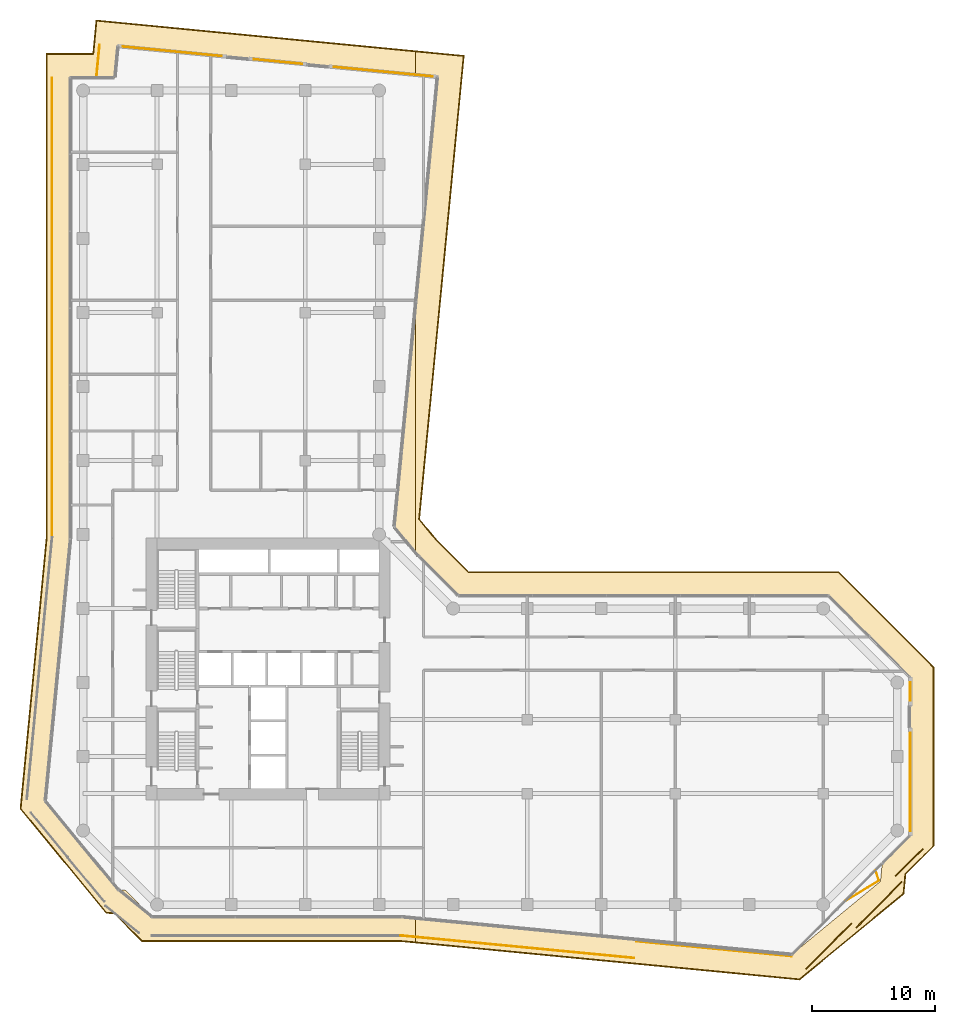
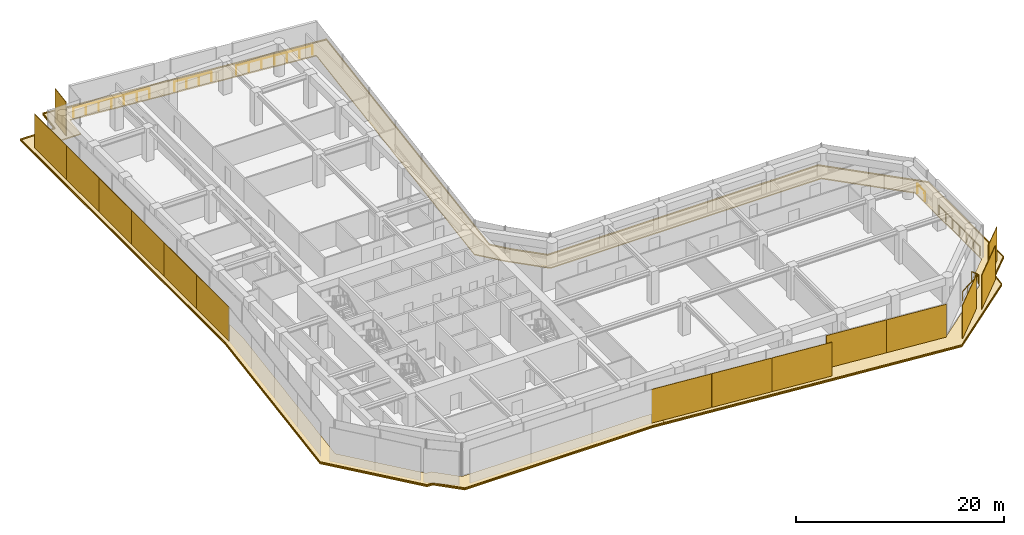
# One storey, part 31 of 31: 20 coverings, 6 railings.
"""IFC4 building model written with IfcOpenShell, lengths in metres."""

from ifc_helpers import new_model, si_unit, direction, frame, origin, origin_2d, place, context, subcontext, project, spatial, polyline, rectangle, circle, outline, extrude, material, layer, layer_set, type_object, element, save


model = new_model("IFC4")

# Units and contexts
model_context = context("Model", 3, precision=1e-05, world=origin(), true_north=direction((0.0, 1.0)))
body_context = subcontext(model_context, "Body", "Model", "MODEL_VIEW")
ifc_project = project(units=[si_unit("LENGTHUNIT", "METRE"), si_unit("AREAUNIT", "SQUARE_METRE"), si_unit("VOLUMEUNIT", "CUBIC_METRE"), si_unit("PLANEANGLEUNIT", "RADIAN"), si_unit("MASSUNIT", "GRAM", prefix="KILO")], contexts=[model_context])

# Site, building, storey
site_placement = place(None, origin())
site = spatial("IfcSite", under=ifc_project, at=site_placement, CompositionType="ELEMENT")
building_placement = place(site_placement, origin())
building = spatial("IfcBuilding", under=site, at=building_placement, Name="Welwitschia Terrace Campus", CompositionType="ELEMENT")
storey_placement = place(building_placement, frame((0.0, 0.0, 29.0)))
storey = spatial("IfcBuildingStorey", under=building, at=storey_placement, Name="L06", CompositionType="ELEMENT", Elevation=29.0)

# Coverings
ifc_material_1 = material(Name="Bronze mesh aluminium screen", Category="aluminium")
ifc_layer_1 = layer(ifc_material_1, 0.06005859375)
ifc_layer_set_1 = layer_set([ifc_layer_1], Name="Bronze mesh aluminium screen")
covering_type_1 = type_object("IfcCoveringType", Name="Bronze screen 60", PredefinedType="USERDEFINED", material=ifc_layer_set_1)
for number, where, z_axis, x_axis, name in (
    (1, (28.880615234375, -6.813720703125, 0.0), (0.0, 0.0, 1.0), (0.995396198367, -0.09584575252, 0.0), "Screen L06.4.0"),
    (2, (35.20361328125, -7.422607421875, 0.0), (0.0, 0.0, 1.0), (0.995396198367, -0.09584575252, 0.0), "Screen L06.4.1"),
    (3, (41.5263671875, -8.03125, 0.0), (0.0, 0.0, 1.0), (0.995396198367, -0.09584575252, 0.0), "Screen L06.4.2"),
):
    element("IfcCovering", number, at=place(storey_placement, frame(where, z_axis=z_axis, x_axis=x_axis)), inside=storey, type_object=covering_type_1, Name=name, ObjectType="SCREEN", PredefinedType="USERDEFINED", context=body_context, shape_type="SweptSolid", body=[
        extrude(rectangle(XDim=6.33203125, YDim=0.06005859375, at=origin_2d()), origin(), (0.0, 0.0, 1.0), 3.949951171875),
    ])
for number, where, z_axis, x_axis, name in (
    (4, (47.980224609375, -7.2783203125, 0.0), (0.0, 0.0, 1.0), (0.995396198367, -0.09584575252, 0.0), "Screen L06.4.3"),
    (5, (54.302978515625, -7.88720703125, 0.0), (0.0, 0.0, 1.0), (0.995396198367, -0.09584575252, 0.0), "Screen L06.4.4"),
):
    element("IfcCovering", number, at=place(storey_placement, frame(where, z_axis=z_axis, x_axis=x_axis)), inside=storey, type_object=covering_type_1, Name=name, ObjectType="SCREEN", PredefinedType="USERDEFINED", context=body_context, shape_type="SweptSolid", body=[
        extrude(rectangle(XDim=6.33203125, YDim=0.06005859375, at=origin_2d()), origin(), (0.0, 0.0, 1.0), 3.85009765625),
    ])
for number, where, z_axis, x_axis, name in (
    (6, (60.457275390625, -7.37060546875, 0.0), (0.0, 0.0, 1.0), (0.703327283427, 0.710866184586, 0.0), "Screen L06.5.0"),
    (7, (64.517578125, -4.02001953125, 0.0), (0.0, 0.0, 1.0), (0.703327283427, 0.710866184586, 0.0), "Screen L06.5.1"),
):
    element("IfcCovering", number, at=place(storey_placement, frame(where, z_axis=z_axis, x_axis=x_axis)), inside=storey, type_object=covering_type_1, Name=name, ObjectType="SCREEN", PredefinedType="USERDEFINED", context=body_context, shape_type="SweptSolid", body=[
        extrude(rectangle(XDim=5.217529296875, YDim=0.06005859375, at=origin_2d()), origin(), (0.0, 0.0, 1.0), 3.949951171875),
    ])
covering_1_placement = place(storey_placement, frame((66.980224609375, -0.577880859375, 0.0), z_axis=(0.0, 0.0, 1.0), x_axis=(0.707106781187, 0.707106781187, 0.0)))
element("IfcCovering", 8, at=covering_1_placement, inside=storey, type_object=covering_type_1, Name="Screen L06.6.0", ObjectType="SCREEN", PredefinedType="USERDEFINED", context=body_context, shape_type="SweptSolid", body=[
    extrude(rectangle(XDim=3.115966796875, YDim=0.06005859375, at=origin_2d()), origin(), (0.0, 0.0, 1.0), 3.949951171875),
])
covering_2_placement = place(storey_placement, frame((1.215087890625, 64.466064453125, 0.0), z_axis=(0.0, 0.0, 1.0), x_axis=(-0.09584575252, -0.995396198367, 0.0)))
element("IfcCovering", 9, at=covering_2_placement, inside=storey, type_object=covering_type_1, Name="Screen L06.14.0", ObjectType="SCREEN", PredefinedType="USERDEFINED", context=body_context, shape_type="SweptSolid", body=[
    extrude(rectangle(XDim=2.5283203125, YDim=0.06005859375, at=origin_2d()), origin(), (0.0, 0.0, 1.0), 3.949951171875),
])
for number, where, z_axis, x_axis, name in (
    (10, (-2.51611328125, 59.940185546875, 0.0), (0.0, 0.0, 1.0), (0.0, -1.0, 0.0), "Screen L06.16.0"),
    (11, (-2.51611328125, 53.704833984375, 0.0), (0.0, 0.0, 1.0), (0.0, -1.0, 0.0), "Screen L06.16.1"),
    (12, (-2.51611328125, 47.469482421875, 0.0), (0.0, 0.0, 1.0), (0.0, -1.0, 0.0), "Screen L06.16.2"),
    (13, (-2.51611328125, 41.234130859375, 0.0), (0.0, 0.0, 1.0), (0.0, -1.0, 0.0), "Screen L06.16.3"),
    (14, (-2.51611328125, 34.998779296875, 0.0), (0.0, 0.0, 1.0), (0.0, -1.0, 0.0), "Screen L06.16.4"),
    (15, (-2.51611328125, 28.763427734375, 0.0), (0.0, 0.0, 1.0), (0.0, -1.0, 0.0), "Screen L06.16.5"),
):
    element("IfcCovering", number, at=place(storey_placement, frame(where, z_axis=z_axis, x_axis=x_axis)), inside=storey, type_object=covering_type_1, Name=name, ObjectType="SCREEN", PredefinedType="USERDEFINED", context=body_context, shape_type="SweptSolid", body=[
        extrude(rectangle(XDim=6.21533203125, YDim=0.06005859375, at=origin_2d()), origin(), (0.0, 0.0, 1.0), 3.949951171875),
    ])

# Railings
ifc_material_2 = material(Name="Stainless steel grade 316", Category="steel")
railing_type = type_object("IfcRailingType", Name="Guard 1100", PredefinedType="GUARDRAIL", material=ifc_material_2)
railing_1_placement = place(storey_placement, frame((3.236572265625, 65.55126953125, 0.0)))
element("IfcRailing", 16, at=railing_1_placement, inside=storey, type_object=railing_type, Name="Guard floor edge L06.0", PredefinedType="GUARDRAIL", context=body_context, shape_type="SweptSolid", body=[
    extrude(circle(Radius=0.02392578125, at=origin_2d()), frame((0.0, 0.0, 1.076171875), z_axis=(0.995395037304, -0.09585780986, 0.0), x_axis=(0.09585780986, 0.995395037304, 0.0)), (0.0, 0.0, 1.0), 8.0302734375),
    extrude(circle(Radius=0.02099609375, at=origin_2d()), origin(), (0.0, 0.0, 1.0), 1.052001953125),
    extrude(circle(Radius=0.02099609375, at=origin_2d()), frame((1.332275390625, -0.12841796875, 0.0)), (0.0, 0.0, 1.0), 1.052001953125),
    extrude(circle(Radius=0.02099609375, at=origin_2d()), frame((2.66455078125, -0.256591796875, 0.0)), (0.0, 0.0, 1.0), 1.052001953125),
    extrude(circle(Radius=0.02099609375, at=origin_2d()), frame((3.99658203125, -0.384765625, 0.0)), (0.0, 0.0, 1.0), 1.052001953125),
    extrude(circle(Radius=0.02099609375, at=origin_2d()), frame((5.328857421875, -0.51318359375, 0.0)), (0.0, 0.0, 1.0), 1.052001953125),
    extrude(circle(Radius=0.02099609375, at=origin_2d()), frame((6.6611328125, -0.6416015625, 0.0)), (0.0, 0.0, 1.0), 1.052001953125),
    extrude(circle(Radius=0.02099609375, at=origin_2d()), frame((7.993408203125, -0.769775390625, 0.0)), (0.0, 0.0, 1.0), 1.052001953125),
])
railing_2_placement = place(storey_placement, frame((13.843994140625, 64.530029296875, 0.0)))
element("IfcRailing", 17, at=railing_2_placement, inside=storey, type_object=railing_type, Name="Guard floor edge L06.1", PredefinedType="GUARDRAIL", context=body_context, shape_type="SweptSolid", body=[
    extrude(circle(Radius=0.02392578125, at=origin_2d()), frame((0.0, 0.0, 1.076171875), z_axis=(0.995397676016, -0.095830405307, 0.0), x_axis=(0.095830405307, 0.995397676016, 0.0)), (0.0, 0.0, 1.0), 3.903076171875),
    extrude(circle(Radius=0.02099609375, at=origin_2d()), origin(), (0.0, 0.0, 1.0), 1.052001953125),
    extrude(circle(Radius=0.02099609375, at=origin_2d()), frame((1.294921875, -0.124755859375, 0.0)), (0.0, 0.0, 1.0), 1.052001953125),
    extrude(circle(Radius=0.02099609375, at=origin_2d()), frame((2.590087890625, -0.249267578125, 0.0)), (0.0, 0.0, 1.0), 1.052001953125),
    extrude(circle(Radius=0.02099609375, at=origin_2d()), frame((3.885009765625, -0.3740234375, 0.0)), (0.0, 0.0, 1.0), 1.052001953125),
])
railing_3_placement = place(storey_placement, frame((20.343017578125, 63.904296875, 0.0)))
element("IfcRailing", 18, at=railing_3_placement, inside=storey, type_object=railing_type, Name="Guard floor edge L06.2", PredefinedType="GUARDRAIL", context=body_context, shape_type="SweptSolid", body=[
    extrude(circle(Radius=0.02392578125, at=origin_2d()), frame((0.0, 0.0, 1.076171875), z_axis=(0.995395037304, -0.09585780986, 0.0), x_axis=(0.09585780986, 0.995395037304, 0.0)), (0.0, 0.0, 1.0), 8.0302734375),
    extrude(circle(Radius=0.02099609375, at=origin_2d()), origin(), (0.0, 0.0, 1.0), 1.052001953125),
    extrude(circle(Radius=0.02099609375, at=origin_2d()), frame((1.332275390625, -0.12841796875, 0.0)), (0.0, 0.0, 1.0), 1.052001953125),
    extrude(circle(Radius=0.02099609375, at=origin_2d()), frame((2.66455078125, -0.256591796875, 0.0)), (0.0, 0.0, 1.0), 1.052001953125),
    extrude(circle(Radius=0.02099609375, at=origin_2d()), frame((3.99658203125, -0.384765625, 0.0)), (0.0, 0.0, 1.0), 1.052001953125),
    extrude(circle(Radius=0.02099609375, at=origin_2d()), frame((5.328857421875, -0.51318359375, 0.0)), (0.0, 0.0, 1.0), 1.052001953125),
    extrude(circle(Radius=0.02099609375, at=origin_2d()), frame((6.6611328125, -0.6416015625, 0.0)), (0.0, 0.0, 1.0), 1.052001953125),
    extrude(circle(Radius=0.02099609375, at=origin_2d()), frame((7.993408203125, -0.769775390625, 0.0)), (0.0, 0.0, 1.0), 1.052001953125),
])
railing_4_placement = place(storey_placement, frame((64.25439453125, -1.248291015625, 0.0)))
element("IfcRailing", 19, at=railing_4_placement, inside=storey, type_object=railing_type, Name="Guard floor edge L06.3", PredefinedType="GUARDRAIL", context=body_context, shape_type="SweptSolid", body=[
    extrude(circle(Radius=0.02392578125, at=origin_2d()), frame((0.0, 0.0, 1.076171875), z_axis=(0.319316245627, -0.947648212829, 0.0), x_axis=(0.947648212829, 0.319316245627, 0.0)), (0.0, 0.0, 1.0), 0.853271484375),
    extrude(circle(Radius=0.02392578125, at=origin_2d()), frame((0.2724609375, -0.80859375, 1.076171875), z_axis=(-0.853824597068, -0.520560810513, 0.0), x_axis=(0.520560810513, -0.853824597068, 0.0)), (0.0, 0.0, 1.0), 3.166259765625),
    extrude(circle(Radius=0.02099609375, at=origin_2d()), origin(), (0.0, 0.0, 1.0), 1.052001953125),
    extrude(circle(Radius=0.02099609375, at=origin_2d()), frame((0.2724609375, -0.80859375, 0.0)), (0.0, 0.0, 1.0), 1.052001953125),
    extrude(circle(Radius=0.02099609375, at=origin_2d()), frame((-0.628662109375, -1.35791015625, 0.0)), (0.0, 0.0, 1.0), 1.052001953125),
    extrude(circle(Radius=0.02099609375, at=origin_2d()), frame((-1.52978515625, -1.907470703125, 0.0)), (0.0, 0.0, 1.0), 1.052001953125),
    extrude(circle(Radius=0.02099609375, at=origin_2d()), frame((-2.430908203125, -2.456787109375, 0.0)), (0.0, 0.0, 1.0), 1.052001953125),
])
railing_5_placement = place(storey_placement, frame((67.05810546875, 9.906005859375, 0.0)))
element("IfcRailing", 20, at=railing_5_placement, inside=storey, type_object=railing_type, Name="Guard floor edge L06.4", PredefinedType="GUARDRAIL", context=body_context, shape_type="SweptSolid", body=[
    extrude(circle(Radius=0.02392578125, at=origin_2d()), frame((0.0, 0.0, 1.076171875), z_axis=(0.0, -1.0, 0.0), x_axis=(1.0, 0.0, 0.0)), (0.0, 0.0, 1.0), 7.93115234375),
    extrude(circle(Radius=0.02099609375, at=origin_2d()), origin(), (0.0, 0.0, 1.0), 1.052001953125),
    extrude(circle(Radius=0.02099609375, at=origin_2d()), frame((0.0, -1.32177734375, 0.0)), (0.0, 0.0, 1.0), 1.052001953125),
    extrude(circle(Radius=0.02099609375, at=origin_2d()), frame((0.0, -2.643798828125, 0.0)), (0.0, 0.0, 1.0), 1.052001953125),
    extrude(circle(Radius=0.02099609375, at=origin_2d()), frame((0.0, -3.965576171875, 0.0)), (0.0, 0.0, 1.0), 1.052001953125),
    extrude(circle(Radius=0.02099609375, at=origin_2d()), frame((0.0, -5.287353515625, 0.0)), (0.0, 0.0, 1.0), 1.052001953125),
    extrude(circle(Radius=0.02099609375, at=origin_2d()), frame((0.0, -6.609375, 0.0)), (0.0, 0.0, 1.0), 1.052001953125),
    extrude(circle(Radius=0.02099609375, at=origin_2d()), frame((0.0, -7.93115234375, 0.0)), (0.0, 0.0, 1.0), 1.052001953125),
])
railing_6_placement = place(storey_placement, frame((67.05810546875, 14.025146484375, 0.0)))
element("IfcRailing", 21, at=railing_6_placement, inside=storey, type_object=railing_type, Name="Guard floor edge L06.5", PredefinedType="GUARDRAIL", context=body_context, shape_type="SweptSolid", body=[
    extrude(circle(Radius=0.02392578125, at=origin_2d()), frame((0.0, 0.0, 1.076171875), z_axis=(0.0, -1.0, 0.0), x_axis=(1.0, 0.0, 0.0)), (0.0, 0.0, 1.0), 1.4931640625),
    extrude(circle(Radius=0.02099609375, at=origin_2d()), origin(), (0.0, 0.0, 1.0), 1.052001953125),
    extrude(circle(Radius=0.02099609375, at=origin_2d()), frame((0.0, -1.4931640625, 0.0)), (0.0, 0.0, 1.0), 1.052001953125),
])

# Coverings
ifc_material_3 = material(Name="Bronze anodised aluminium", Category="aluminium")
ifc_layer_2 = layer(ifc_material_3, 0.1201171875)
ifc_layer_set_2 = layer_set([ifc_layer_2], Name="Bronze anodised aluminium")
covering_type_2 = type_object("IfcCoveringType", Name="Sunshade band 2000", PredefinedType="USERDEFINED", material=ifc_layer_set_2)
covering_3_placement = place(storey_placement, frame((0.0, 0.0, -0.25)))
element("IfcCovering", 22, at=covering_3_placement, inside=storey, type_object=covering_type_2, Name="SUNSHADE L06.SW0", ObjectType="SUNSHADE", PredefinedType="USERDEFINED", context=body_context, shape_type="SweptSolid", body=[
    extrude(outline(polyline([(0.780517578125, 65.0), (1.041748046875, 67.713623046875), (26.95458984375, 65.218505859375), (26.95458984375, 63.209228515625), (2.8408203125, 65.53125), (2.59716796875, 63.0), (-1.0, 63.0), (-1.0, 25.642822265625), (-3.04541015625, 4.399658203125), (2.87890625, -2.787109375), (3.42529296875, -2.839599609375), (5.585693359375, -5.0), (25.86181640625, -5.0), (26.95458984375, -5.105224609375), (26.95458984375, -7.114501953125), (25.765869140625, -7.0), (4.75732421875, -7.0), (2.518798828125, -4.76171875), (1.862548828125, -4.698486328125), (-5.11572265625, 3.766845703125), (-3.0, 25.739013671875), (-3.0, 65.0), (0.780517578125, 65.0)])), origin(), (0.0, 0.0, 1.0), 0.1201171875),
])
covering_4_placement = place(storey_placement, frame((0.0, 0.0, -0.25)))
element("IfcCovering", 23, at=covering_4_placement, inside=storey, type_object=covering_type_2, Name="SUNSHADE L06.SW1", ObjectType="SUNSHADE", PredefinedType="USERDEFINED", context=body_context, shape_type="SweptSolid", body=[
    extrude(outline(polyline([(25.214599609375, 26.621826171875), (26.95458984375, 44.6923828125), (26.95458984375, 24.510986328125), (25.214599609375, 26.621826171875)])), origin(), (0.0, 0.0, 1.0), 0.1201171875),
])
covering_5_placement = place(storey_placement, frame((0.0, 0.0, -0.25)))
element("IfcCovering", 24, at=covering_5_placement, inside=storey, type_object=covering_type_2, Name="SUNSHADE L06.SE0", ObjectType="SUNSHADE", PredefinedType="USERDEFINED", context=body_context, shape_type="SweptSolid", body=[
    extrude(outline(polyline([(30.903564453125, 64.83837890625), (27.28466796875, 27.2548828125), (28.677490234375, 25.56494140625), (31.24267578125, 23.0), (61.24267578125, 23.0), (69.0, 15.24267578125), (69.0, 0.75732421875), (66.706787109375, -1.535888671875), (66.552734375, -3.134033203125), (58.087646484375, -10.1123046875), (26.95458984375, -7.114501953125), (26.95458984375, -5.105224609375), (57.454833984375, -8.0419921875), (64.6416015625, -2.117919921875), (64.784912109375, -0.62939453125), (67.0, 1.585693359375), (67.0, 14.414306640625), (60.414306640625, 21.0), (30.414306640625, 21.0), (27.195556640625, 24.21875), (26.95458984375, 24.510986328125), (26.95458984375, 44.6923828125), (28.72119140625, 63.039306640625), (26.95458984375, 63.209228515625), (26.95458984375, 65.218505859375), (30.903564453125, 64.83837890625)])), origin(), (0.0, 0.0, 1.0), 0.1201171875),
])
ifc_material_4 = material(Name="Bronze anodised aluminium", Category="aluminium")
ifc_layer_3 = layer(ifc_material_4, 0.06005859375)
ifc_layer_set_3 = layer_set([ifc_layer_3], Name="Bronze anodised aluminium")
covering_type_3 = type_object("IfcCoveringType", Name="Sunshade lip 60", PredefinedType="USERDEFINED", material=ifc_layer_set_3)
covering_6_placement = place(storey_placement, frame((0.0, 0.0, -0.1298828125)))
element("IfcCovering", 25, at=covering_6_placement, inside=storey, type_object=covering_type_3, Name="SUNSHADE LIP L06.SW0.0", ObjectType="SUNSHADE", PredefinedType="USERDEFINED", context=body_context, shape_type="SweptSolid", body=[
    extrude(outline(polyline([(1.041748046875, 67.713623046875), (26.95458984375, 65.218505859375), (26.95458984375, 65.158203125), (1.095703125, 67.648193359375), (0.8349609375, 64.93994140625), (-2.93994140625, 64.93994140625), (-2.93994140625, 25.736083984375), (-5.0537109375, 3.785888671875), (1.892822265625, -4.64111328125), (2.546142578125, -4.703857421875), (4.7822265625, -6.93994140625), (25.768798828125, -6.93994140625), (26.95458984375, -7.05419921875), (26.95458984375, -7.114501953125), (25.765869140625, -7.0), (4.75732421875, -7.0), (2.518798828125, -4.76171875), (1.862548828125, -4.698486328125), (-5.11572265625, 3.766845703125), (-3.0, 25.739013671875), (-3.0, 65.0), (0.780517578125, 65.0), (1.041748046875, 67.713623046875)])), origin(), (0.0, 0.0, 1.0), 0.1298828125),
])
covering_7_placement = place(storey_placement, frame((0.0, 0.0, -0.1298828125)))
element("IfcCovering", 26, at=covering_7_placement, inside=storey, type_object=covering_type_3, Name="SUNSHADE LIP L06.SE0.0", ObjectType="SUNSHADE", PredefinedType="USERDEFINED", context=body_context, shape_type="SweptSolid", body=[
    extrude(outline(polyline([(27.28466796875, 27.2548828125), (28.677490234375, 25.56494140625), (31.24267578125, 23.0), (61.24267578125, 23.0), (69.0, 15.24267578125), (69.0, 0.75732421875), (66.706787109375, -1.535888671875), (66.552734375, -3.134033203125), (58.087646484375, -10.1123046875), (26.95458984375, -7.114501953125), (26.95458984375, -7.05419921875), (58.068603515625, -10.050048828125), (66.49560546875, -3.103515625), (66.649169921875, -1.5087890625), (68.93994140625, 0.7822265625), (68.93994140625, 15.2177734375), (61.2177734375, 22.93994140625), (31.2177734375, 22.93994140625), (28.633056640625, 25.524658203125), (27.22265625, 27.23583984375), (30.838134765625, 64.7841796875), (26.95458984375, 65.158203125), (26.95458984375, 65.218505859375), (30.903564453125, 64.83837890625), (27.28466796875, 27.2548828125)])), origin(), (0.0, 0.0, 1.0), 0.1298828125),
])

save(model, "model.ifc")
